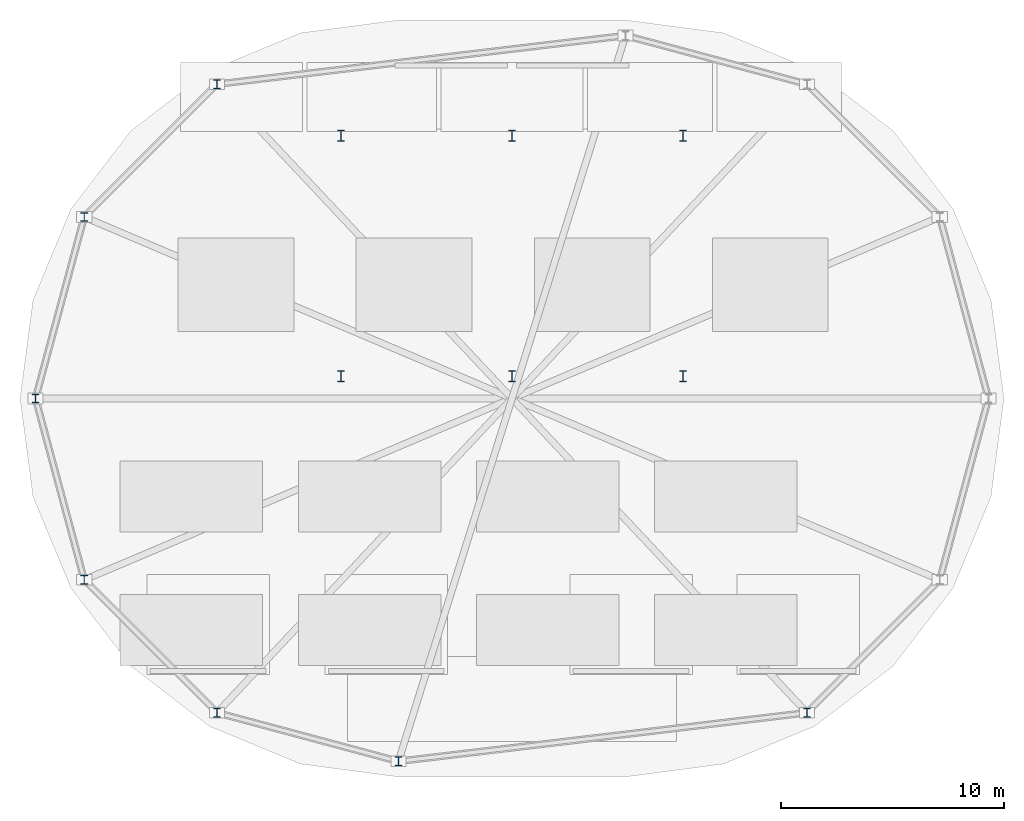
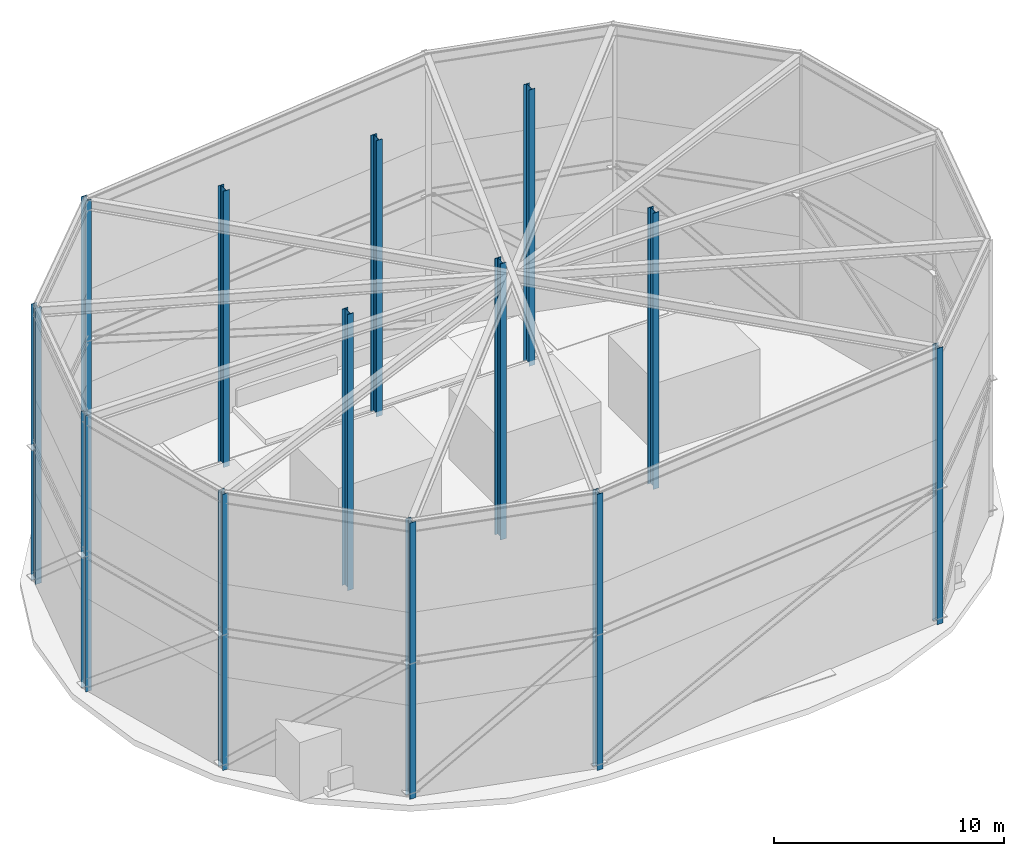
# One storey, part 1 of 5: 13 columns.
"""IFC4 building model written with IfcOpenShell, lengths in metres."""

from ifc_helpers import new_model, si_unit, direction, frame, origin, origin_2d, place, context, subcontext, project, spatial, i_section, extrude, material, material_profile, profile_set, type_object, element, save


model = new_model("IFC4")

# Units and contexts
model_context = context("Model", 3, precision=1e-05, world=origin(), true_north=direction((0.0, 1.0)))
body_context = subcontext(model_context, "Body", "Model", "MODEL_VIEW")
ifc_project = project(units=[si_unit("LENGTHUNIT", "METRE"), si_unit("AREAUNIT", "SQUARE_METRE"), si_unit("VOLUMEUNIT", "CUBIC_METRE"), si_unit("PLANEANGLEUNIT", "RADIAN"), si_unit("MASSUNIT", "GRAM", prefix="KILO")], contexts=[model_context])

# Site, building, storey
site_placement = place(None, origin())
site = spatial("IfcSite", under=ifc_project, at=site_placement, CompositionType="ELEMENT")
building_placement = place(site_placement, origin())
building = spatial("IfcBuilding", under=site, at=building_placement, Name="Yelkora Congress Tower", CompositionType="ELEMENT")
storey_placement = place(building_placement, frame((0.0, 0.0, 310.0)))
storey = spatial("IfcBuildingStorey", under=building, at=storey_placement, Name="Roof", CompositionType="ELEMENT", Elevation=310.0)

# Columns
ifc_material = material(Name="Steel S355J2", Category="steel")
ifc_material_profile_1 = material_profile(ifc_material, i_section(OverallWidth=0.300048828125, OverallDepth=0.39990234375, WebThickness=0.013427734375, FlangeThickness=0.02392578125, FilletRadius=0.027099609375, at=origin_2d()), Name="HEB 400")
ifc_profile_set_1 = profile_set([ifc_material_profile_1], Name="Steel S355J2")
column_type_1 = type_object("IfcColumnType", Name="COL-HEB-400-EXT", PredefinedType="COLUMN", material=ifc_profile_set_1)
for number, where, z_axis, x_axis, name in (
    (1, (25.14990234375, 48.51611328125, 0.0), (0.0, 0.0, 1.0), (1.0, 0.0, 0.0), "Crown Ring Frame Column CRN-C05"),
    (2, (19.183837890625, 42.550048828125, 0.0), (0.0, 0.0, 1.0), (1.0, 0.0, 0.0), "Crown Ring Frame Column CRN-C06"),
    (3, (17.0, 34.39990234375, 0.0), (0.0, 0.0, 1.0), (1.0, 0.0, 0.0), "Crown Ring Frame Column CRN-C07"),
    (4, (19.183837890625, 26.25, 0.0), (0.0, 0.0, 1.0), (1.0, 0.0, 0.0), "Crown Ring Frame Column CRN-C08"),
    (5, (25.14990234375, 20.28369140625, 0.0), (0.0, 0.0, 1.0), (1.0, 0.0, 0.0), "Crown Ring Frame Column CRN-C09"),
    (6, (33.300048828125, 18.10009765625, 0.0), (0.0, 0.0, 1.0), (1.0, 0.0, 0.0), "Crown Ring Frame Column CRN-C10"),
    (7, (51.64990234375, 20.28369140625, 0.0), (0.0, 0.0, 1.0), (1.0, 0.0, 0.0), "Crown Ring Frame Column CRN-C11"),
):
    element("IfcColumn", number, at=place(storey_placement, frame(where, z_axis=z_axis, x_axis=x_axis)), inside=storey, type_object=column_type_1, Name=name, PredefinedType="COLUMN", context=body_context, shape_type="SweptSolid", body=[
        extrude(i_section(OverallWidth=0.300048828125, OverallDepth=0.39990234375, WebThickness=0.013427734375, FlangeThickness=0.02392578125, FilletRadius=0.027099609375, at=origin_2d()), origin(), (0.0, 0.0, 1.0), 14.679931640625),
    ])
ifc_material_profile_2 = material_profile(ifc_material, i_section(OverallWidth=0.300048828125, OverallDepth=0.5, WebThickness=0.014404296875, FlangeThickness=0.028076171875, FilletRadius=0.027099609375, at=origin_2d()), Name="HEB 500")
ifc_profile_set_2 = profile_set([ifc_material_profile_2], Name="Steel S355J2")
column_type_2 = type_object("IfcColumnType", Name="COL-HEB-500", PredefinedType="COLUMN", material=ifc_profile_set_2)
for number, where, z_axis, x_axis, name in (
    (8, (30.719970703125, 35.39990234375, 0.0), (0.0, 0.0, 1.0), (1.0, 0.0, 0.0), "Crown Core Column MC-S2"),
    (9, (30.719970703125, 46.199951171875, 0.0), (0.0, 0.0, 1.0), (1.0, 0.0, 0.0), "Crown Core Column MC-N2"),
    (10, (38.39990234375, 35.39990234375, 0.0), (0.0, 0.0, 1.0), (1.0, 0.0, 0.0), "Crown Core Column MC-S3"),
    (11, (38.39990234375, 46.199951171875, 0.0), (0.0, 0.0, 1.0), (1.0, 0.0, 0.0), "Crown Core Column MC-N3"),
    (12, (46.080078125, 35.39990234375, 0.0), (0.0, 0.0, 1.0), (1.0, 0.0, 0.0), "Crown Core Column MC-S4"),
    (13, (46.080078125, 46.199951171875, 0.0), (0.0, 0.0, 1.0), (1.0, 0.0, 0.0), "Crown Core Column MC-N4"),
):
    element("IfcColumn", number, at=place(storey_placement, frame(where, z_axis=z_axis, x_axis=x_axis)), inside=storey, type_object=column_type_2, Name=name, PredefinedType="COLUMN", context=body_context, shape_type="SweptSolid", body=[
        extrude(i_section(OverallWidth=0.300048828125, OverallDepth=0.5, WebThickness=0.014404296875, FlangeThickness=0.028076171875, FilletRadius=0.027099609375, at=origin_2d()), origin(), (0.0, 0.0, 1.0), 14.679931640625),
    ])

save(model, "model.ifc")
